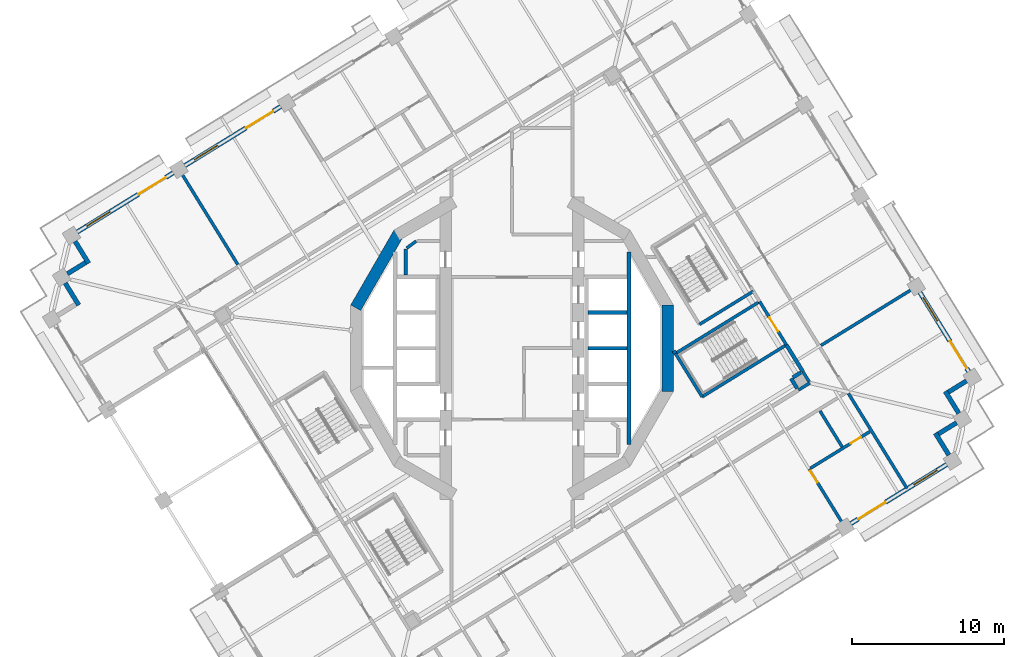
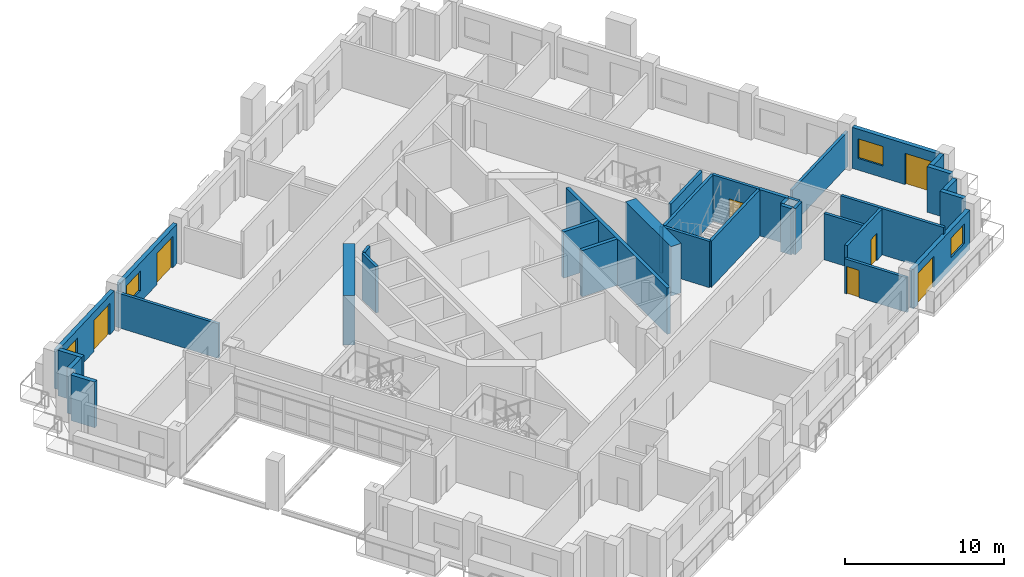
# One storey, part 8 of 20: 35 walls, 7 doors, 4 windows, 11 openings.
"""IFC4 building model written with IfcOpenShell, lengths in metres."""

from ifc_helpers import new_model, si_unit, direction, frame, frame_2d, origin, place, context, subcontext, project, spatial, rectangle, extrude, material, layer, layer_set, type_object, element, fill, save


model = new_model("IFC4")

# Units and contexts
model_context = context("Model", 3, precision=1e-05, world=origin(), true_north=direction((0.0, 1.0)))
body_context = subcontext(model_context, "Body", "Model", "MODEL_VIEW")
ifc_project = project(units=[si_unit("LENGTHUNIT", "METRE"), si_unit("AREAUNIT", "SQUARE_METRE"), si_unit("VOLUMEUNIT", "CUBIC_METRE"), si_unit("PLANEANGLEUNIT", "RADIAN"), si_unit("MASSUNIT", "GRAM", prefix="KILO")], contexts=[model_context])

# Site, building, storey
site_placement = place(None, origin())
site = spatial("IfcSite", under=ifc_project, at=site_placement, CompositionType="ELEMENT")
building_placement = place(site_placement, origin())
building = spatial("IfcBuilding", under=site, at=building_placement, Name="Cantera Rosa Tower", CompositionType="ELEMENT")
storey_placement = place(building_placement, frame((0.0, 0.0, 151.39990234375)))
storey = spatial("IfcBuildingStorey", under=building, at=storey_placement, Name="L32", CompositionType="ELEMENT", Elevation=151.39990234375)

# Walls
ifc_material_1 = material(Name="Gypsum board partition")
ifc_layer_1 = layer(ifc_material_1, 0.199951171875)
ifc_layer_set_1 = layer_set([ifc_layer_1], Name="CORRIDOR WALL 200 H3550")
wall_type_1 = type_object("IfcWallType", Name="CORRIDOR WALL 200 H3550", PredefinedType="PARTITIONING", material=ifc_layer_set_1)
wall_1_placement = place(storey_placement, frame((18.874267578125, -2.7509765625, 0.0), z_axis=(0.0, 0.0, 1.0), x_axis=(0.851162606387, 0.524902102766, 0.0)))
element("IfcWall", 1, at=wall_1_placement, inside=storey, type_object=wall_type_1, Name="CORRIDOR WALL L32-108", PredefinedType="PARTITIONING", context=body_context, shape_type="SweptSolid", body=[
    extrude(rectangle(XDim=0.8798828125, YDim=0.199951171875, at=frame_2d((0.43994140625, 0.0))), origin(), (0.0, 0.0, 1.0), 3.550048828125),
])
wall_2_placement = place(storey_placement, frame((19.57080078125, -2.203857421875, 0.0), z_axis=(0.0, 0.0, 1.0), x_axis=(-0.524952958213, 0.851131242326, 0.0)))
element("IfcWall", 2, at=wall_2_placement, inside=storey, type_object=wall_type_1, Name="CORRIDOR WALL L32-112", PredefinedType="PARTITIONING", context=body_context, shape_type="SweptSolid", body=[
    extrude(rectangle(XDim=0.780029296875, YDim=0.199951171875, at=frame_2d((0.39013671875, 0.0))), origin(), (0.0, 0.0, 1.0), 3.550048828125),
])
ifc_material_2 = material(Name="Hollow clay masonry with cantera stone cladding", Category="masonry")
ifc_layer_2 = layer(ifc_material_2, 0.300048828125)
ifc_layer_set_2 = layer_set([ifc_layer_2], Name="EW-LOGGIA 300")
wall_type_2 = type_object("IfcWallType", Name="EW-LOGGIA 300", PredefinedType="SOLIDWALL", material=ifc_layer_set_2)
wall_3_placement = place(storey_placement, frame((-28.7802734375, 7.0390625, 0.0), z_axis=(0.0, 0.0, 1.0), x_axis=(0.524994468487, -0.851105638601, 0.0)))
element("IfcWall", 3, at=wall_3_placement, inside=storey, type_object=wall_type_2, Name="EN-L32-W13a", PredefinedType="SOLIDWALL", context=body_context, shape_type="SweptSolid", body=[
    extrude(rectangle(XDim=1.7001953125, YDim=0.300048828125, at=frame_2d((0.85009765625, 0.0))), origin(), (0.0, 0.0, 1.0), 3.5),
])
wall_4_placement = place(storey_placement, frame((-28.09423828125, 5.64111328125, 0.0), z_axis=(0.0, 0.0, 1.0), x_axis=(-0.851040987269, -0.525099264891, 0.0)))
element("IfcWall", 4, at=wall_4_placement, inside=storey, type_object=wall_type_2, Name="EN-L32-W13b", PredefinedType="SOLIDWALL", context=body_context, shape_type="SweptSolid", body=[
    extrude(rectangle(XDim=1.39990234375, YDim=0.300048828125, at=frame_2d((0.699951171875, 0.0))), origin(), (0.0, 0.0, 1.0), 3.5),
])
for number, where, z_axis, x_axis, name in (
    (5, (-29.4326171875, 4.286865234375, 0.0), (0.0, 0.0, 1.0), (0.524994468487, -0.851105638601, 0.0), "EN-L32-W14a"),
    (6, (28.7802734375, -7.0390625, 0.0), (0.0, 0.0, 1.0), (-0.524994468487, 0.851105638601, 0.0), "EN-L32-W27a"),
):
    element("IfcWall", number, at=place(storey_placement, frame(where, z_axis=z_axis, x_axis=x_axis)), inside=storey, type_object=wall_type_2, Name=name, PredefinedType="SOLIDWALL", context=body_context, shape_type="SweptSolid", body=[
        extrude(rectangle(XDim=1.7001953125, YDim=0.300048828125, at=frame_2d((0.85009765625, 0.0))), origin(), (0.0, 0.0, 1.0), 3.5),
    ])
wall_5_placement = place(storey_placement, frame((28.09423828125, -5.64111328125, 0.0), z_axis=(0.0, 0.0, 1.0), x_axis=(0.851040987269, 0.525099264891, 0.0)))
element("IfcWall", 7, at=wall_5_placement, inside=storey, type_object=wall_type_2, Name="EN-L32-W27b", PredefinedType="SOLIDWALL", context=body_context, shape_type="SweptSolid", body=[
    extrude(rectangle(XDim=1.39990234375, YDim=0.300048828125, at=frame_2d((0.699951171875, 0.0))), origin(), (0.0, 0.0, 1.0), 3.5),
])
wall_6_placement = place(storey_placement, frame((29.4326171875, -4.286865234375, 0.0), z_axis=(0.0, 0.0, 1.0), x_axis=(-0.524994468487, 0.851105638601, 0.0)))
element("IfcWall", 8, at=wall_6_placement, inside=storey, type_object=wall_type_2, Name="EN-L32-W28a", PredefinedType="SOLIDWALL", context=body_context, shape_type="SweptSolid", body=[
    extrude(rectangle(XDim=1.7001953125, YDim=0.300048828125, at=frame_2d((0.85009765625, 0.0))), origin(), (0.0, 0.0, 1.0), 3.5),
])
wall_7_placement = place(storey_placement, frame((28.74658203125, -2.888916015625, 0.0), z_axis=(0.0, 0.0, 1.0), x_axis=(0.851040987269, 0.525099264891, 0.0)))
element("IfcWall", 9, at=wall_7_placement, inside=storey, type_object=wall_type_2, Name="EN-L32-W28b", PredefinedType="SOLIDWALL", context=body_context, shape_type="SweptSolid", body=[
    extrude(rectangle(XDim=1.39990234375, YDim=0.300048828125, at=frame_2d((0.699951171875, 0.0))), origin(), (0.0, 0.0, 1.0), 3.5),
])

# Wall, openings, window, door
ifc_material_3 = material(Name="Hollow clay masonry with cantera stone cladding", Category="masonry")
ifc_layer_3 = layer(ifc_material_3, 0.300048828125)
ifc_layer_set_3 = layer_set([ifc_layer_3], Name="EW-LOGGIA 300 H3020")
wall_type_3 = type_object("IfcWallType", Name="EW-LOGGIA 300 H3020", PredefinedType="SOLIDWALL", material=ifc_layer_set_3)
wall_8_placement = place(storey_placement, frame((-15.23681640625, 15.92138671875, 0.0), z_axis=(0.0, 0.0, 1.0), x_axis=(-0.85112578684, -0.524961803349, 0.0)))
wall_8 = element("IfcWall", 10, at=wall_8_placement, inside=storey, type_object=wall_type_3, Name="EN-L32-W11", PredefinedType="SOLIDWALL", context=body_context, shape_type="SweptSolid", body=[
    extrude(rectangle(XDim=7.420166015625, YDim=0.300048828125, at=frame_2d((3.7099609375, 0.0))), origin(), (0.0, 0.0, 1.0), 3.02001953125),
])
opening_1_placement = place(wall_8_placement, frame((0.580078125, 0.0, 0.0)))
opening_1 = element("IfcOpeningElement", 11, at=opening_1_placement, cuts=wall_8, Name="Opening L32-TD17", PredefinedType="OPENING", context=body_context, shape_type="SweptSolid", body=[
    extrude(rectangle(XDim=2.10009765625, YDim=2.39990234375, at=frame_2d((1.050048828125, 1.199951171875))), frame((0.0, 0.159912109375, 0.0), z_axis=(0.0, -1.0, 0.0), x_axis=(1.0, 0.0, 0.0)), (0.0, 0.0, 1.0), 0.320068359375),
])
opening_2_placement = place(wall_8_placement, frame((4.889892578125, 0.0, 0.89990234375)))
opening_2 = element("IfcOpeningElement", 12, at=opening_2_placement, cuts=wall_8, Name="Opening L32-W18", PredefinedType="OPENING", context=body_context, shape_type="SweptSolid", body=[
    extrude(rectangle(XDim=1.800048828125, YDim=1.5, at=frame_2d((0.89990234375, 0.75))), frame((0.0, 0.159912109375, 0.0), z_axis=(0.0, -1.0, 0.0), x_axis=(1.0, 0.0, 0.0)), (0.0, 0.0, 1.0), 0.320068359375),
])
ifc_material_4 = material(Name="Aluminium frame with clear glass", Category="aluminium")
window_type = type_object("IfcWindowType", Name="Hotel room window 1800x1500", PartitioningType="DOUBLE_PANEL_VERTICAL", PredefinedType="WINDOW", material=ifc_material_4)
window_1_placement = place(opening_2_placement, origin())
window_1 = element("IfcWindow", 13, at=window_1_placement, inside=storey, type_object=window_type, Name="WINDOW L32-W18", OverallHeight=1.5, OverallWidth=1.800048828125, PartitioningType="SINGLE_PANEL", PredefinedType="WINDOW", context=body_context, shape_type="SweptSolid", body=[
    extrude(rectangle(XDim=1.800048828125, YDim=1.5, at=frame_2d((0.89990234375, 0.75))), frame((0.0, 0.030029296875, 0.0), z_axis=(0.0, -1.0, 0.0), x_axis=(1.0, 0.0, 0.0)), (0.0, 0.0, 1.0), 0.06005859375),
])
fill(opening_2, window_1)
ifc_material_5 = material(Name="Aluminium frame with clear glass", Category="aluminium")
door_type_1 = type_object("IfcDoorType", Name="TD-H 2100x2400", OperationType="NOTDEFINED", PredefinedType="DOOR", material=ifc_material_5)
door_1_placement = place(opening_1_placement, origin())
door_1 = element("IfcDoor", 14, at=door_1_placement, inside=storey, type_object=door_type_1, Name="LOGGIA DOOR L32-TD17", OperationType="SLIDING_TO_LEFT", OverallHeight=2.39990234375, OverallWidth=2.10009765625, PredefinedType="DOOR", context=body_context, shape_type="SweptSolid", body=[
    extrude(rectangle(XDim=2.10009765625, YDim=2.39990234375, at=frame_2d((1.050048828125, 1.199951171875))), frame((0.0, 0.02490234375, 0.0), z_axis=(0.0, -1.0, 0.0), x_axis=(1.0, 0.0, 0.0)), (0.0, 0.0, 1.0), 0.050048828125),
])
fill(opening_1, door_1)

wall_9_placement = place(storey_placement, frame((-22.318115234375, 11.5537109375, 0.0), z_axis=(0.0, 0.0, 1.0), x_axis=(-0.851111085575, -0.524985637909, 0.0)))
wall_9 = element("IfcWall", 15, at=wall_9_placement, inside=storey, type_object=wall_type_3, Name="EN-L32-W12", PredefinedType="SOLIDWALL", context=body_context, shape_type="SweptSolid", body=[
    extrude(rectangle(XDim=7.420166015625, YDim=0.300048828125, at=frame_2d((3.7099609375, 0.0))), origin(), (0.0, 0.0, 1.0), 3.02001953125),
])
opening_3_placement = place(wall_9_placement, frame((0.580078125, 0.0, 0.0)))
opening_3 = element("IfcOpeningElement", 16, at=opening_3_placement, cuts=wall_9, Name="Opening L32-TD19", PredefinedType="OPENING", context=body_context, shape_type="SweptSolid", body=[
    extrude(rectangle(XDim=2.10009765625, YDim=2.39990234375, at=frame_2d((1.050048828125, 1.199951171875))), frame((0.0, 0.159912109375, 0.0), z_axis=(0.0, -1.0, 0.0), x_axis=(1.0, 0.0, 0.0)), (0.0, 0.0, 1.0), 0.320068359375),
])
opening_4_placement = place(wall_9_placement, frame((4.889892578125, 0.0, 0.89990234375)))
opening_4 = element("IfcOpeningElement", 17, at=opening_4_placement, cuts=wall_9, Name="Opening L32-W20", PredefinedType="OPENING", context=body_context, shape_type="SweptSolid", body=[
    extrude(rectangle(XDim=1.800048828125, YDim=1.5, at=frame_2d((0.89990234375, 0.75))), frame((0.0, 0.159912109375, 0.0), z_axis=(0.0, -1.0, 0.0), x_axis=(1.0, 0.0, 0.0)), (0.0, 0.0, 1.0), 0.320068359375),
])
window_2_placement = place(opening_4_placement, origin())
window_2 = element("IfcWindow", 18, at=window_2_placement, inside=storey, type_object=window_type, Name="WINDOW L32-W20", OverallHeight=1.5, OverallWidth=1.800048828125, PartitioningType="SINGLE_PANEL", PredefinedType="WINDOW", context=body_context, shape_type="SweptSolid", body=[
    extrude(rectangle(XDim=1.800048828125, YDim=1.5, at=frame_2d((0.89990234375, 0.75))), frame((0.0, 0.030029296875, 0.0), z_axis=(0.0, -1.0, 0.0), x_axis=(1.0, 0.0, 0.0)), (0.0, 0.0, 1.0), 0.06005859375),
])
fill(opening_4, window_2)
door_2_placement = place(opening_3_placement, origin())
door_2 = element("IfcDoor", 19, at=door_2_placement, inside=storey, type_object=door_type_1, Name="LOGGIA DOOR L32-TD19", OperationType="SLIDING_TO_LEFT", OverallHeight=2.39990234375, OverallWidth=2.10009765625, PredefinedType="DOOR", context=body_context, shape_type="SweptSolid", body=[
    extrude(rectangle(XDim=2.10009765625, YDim=2.39990234375, at=frame_2d((1.050048828125, 1.199951171875))), frame((0.0, 0.02490234375, 0.0), z_axis=(0.0, -1.0, 0.0), x_axis=(1.0, 0.0, 0.0)), (0.0, 0.0, 1.0), 0.050048828125),
])
fill(opening_3, door_2)

wall_10_placement = place(storey_placement, frame((22.318115234375, -11.5537109375, 0.0), z_axis=(0.0, 0.0, 1.0), x_axis=(0.851111085575, 0.524985637909, 0.0)))
wall_10 = element("IfcWall", 20, at=wall_10_placement, inside=storey, type_object=wall_type_3, Name="EN-L32-W26", PredefinedType="SOLIDWALL", context=body_context, shape_type="SweptSolid", body=[
    extrude(rectangle(XDim=7.420166015625, YDim=0.300048828125, at=frame_2d((3.7099609375, 0.0))), origin(), (0.0, 0.0, 1.0), 3.02001953125),
])
opening_5_placement = place(wall_10_placement, frame((0.580078125, 0.0, 0.0)))
opening_5 = element("IfcOpeningElement", 21, at=opening_5_placement, cuts=wall_10, Name="Opening L32-TD35", PredefinedType="OPENING", context=body_context, shape_type="SweptSolid", body=[
    extrude(rectangle(XDim=2.10009765625, YDim=2.39990234375, at=frame_2d((1.050048828125, 1.199951171875))), frame((0.0, 0.159912109375, 0.0), z_axis=(0.0, -1.0, 0.0), x_axis=(1.0, 0.0, 0.0)), (0.0, 0.0, 1.0), 0.320068359375),
])
opening_6_placement = place(wall_10_placement, frame((4.889892578125, 0.0, 0.89990234375)))
opening_6 = element("IfcOpeningElement", 22, at=opening_6_placement, cuts=wall_10, Name="Opening L32-W36", PredefinedType="OPENING", context=body_context, shape_type="SweptSolid", body=[
    extrude(rectangle(XDim=1.800048828125, YDim=1.5, at=frame_2d((0.89990234375, 0.75))), frame((0.0, 0.159912109375, 0.0), z_axis=(0.0, -1.0, 0.0), x_axis=(1.0, 0.0, 0.0)), (0.0, 0.0, 1.0), 0.320068359375),
])
window_3_placement = place(opening_6_placement, origin())
window_3 = element("IfcWindow", 23, at=window_3_placement, inside=storey, type_object=window_type, Name="WINDOW L32-W36", OverallHeight=1.5, OverallWidth=1.800048828125, PartitioningType="SINGLE_PANEL", PredefinedType="WINDOW", context=body_context, shape_type="SweptSolid", body=[
    extrude(rectangle(XDim=1.800048828125, YDim=1.5, at=frame_2d((0.89990234375, 0.75))), frame((0.0, 0.030029296875, 0.0), z_axis=(0.0, -1.0, 0.0), x_axis=(1.0, 0.0, 0.0)), (0.0, 0.0, 1.0), 0.06005859375),
])
fill(opening_6, window_3)
door_3_placement = place(opening_5_placement, origin())
door_3 = element("IfcDoor", 24, at=door_3_placement, inside=storey, type_object=door_type_1, Name="LOGGIA DOOR L32-TD35", OperationType="SLIDING_TO_LEFT", OverallHeight=2.39990234375, OverallWidth=2.10009765625, PredefinedType="DOOR", context=body_context, shape_type="SweptSolid", body=[
    extrude(rectangle(XDim=2.10009765625, YDim=2.39990234375, at=frame_2d((1.050048828125, 1.199951171875))), frame((0.0, 0.02490234375, 0.0), z_axis=(0.0, -1.0, 0.0), x_axis=(1.0, 0.0, 0.0)), (0.0, 0.0, 1.0), 0.050048828125),
])
fill(opening_5, door_3)

ifc_material_6 = material(Name="Hollow clay masonry with cantera stone cladding", Category="masonry")
ifc_layer_4 = layer(ifc_material_6, 0.300048828125)
ifc_layer_set_4 = layer_set([ifc_layer_4], Name="EW-LOGGIA 300 H3140")
wall_type_4 = type_object("IfcWallType", Name="EW-LOGGIA 300 H3140", PredefinedType="SOLIDWALL", material=ifc_layer_set_4)
wall_11_placement = place(storey_placement, frame((30.084716796875, -1.53466796875, 0.0), z_axis=(0.0, 0.0, 1.0), x_axis=(-0.524987447654, 0.851109969279, 0.0)))
wall_11 = element("IfcWall", 25, at=wall_11_placement, inside=storey, type_object=wall_type_4, Name="EN-L32-W01", PredefinedType="SOLIDWALL", context=body_context, shape_type="SweptSolid", body=[
    extrude(rectangle(XDim=6.119873046875, YDim=0.300048828125, at=frame_2d((3.06005859375, 0.0))), origin(), (0.0, 0.0, 1.0), 3.14013671875),
])
opening_7_placement = place(wall_11_placement, frame((0.2548828125, 0.0, 0.0)))
opening_7 = element("IfcOpeningElement", 26, at=opening_7_placement, cuts=wall_11, Name="Opening L32-TD01", PredefinedType="OPENING", context=body_context, shape_type="SweptSolid", body=[
    extrude(rectangle(XDim=2.10009765625, YDim=2.39990234375, at=frame_2d((1.050048828125, 1.199951171875))), frame((0.0, 0.159912109375, 0.0), z_axis=(0.0, -1.0, 0.0), x_axis=(1.0, 0.0, 0.0)), (0.0, 0.0, 1.0), 0.320068359375),
])
opening_8_placement = place(wall_11_placement, frame((3.9150390625, 0.0, 0.89990234375)))
opening_8 = element("IfcOpeningElement", 27, at=opening_8_placement, cuts=wall_11, Name="Opening L32-W02", PredefinedType="OPENING", context=body_context, shape_type="SweptSolid", body=[
    extrude(rectangle(XDim=1.800048828125, YDim=1.5, at=frame_2d((0.89990234375, 0.75))), frame((0.0, 0.159912109375, 0.0), z_axis=(0.0, -1.0, 0.0), x_axis=(1.0, 0.0, 0.0)), (0.0, 0.0, 1.0), 0.320068359375),
])
window_4_placement = place(opening_8_placement, origin())
window_4 = element("IfcWindow", 28, at=window_4_placement, inside=storey, type_object=window_type, Name="WINDOW L32-W02", OverallHeight=1.5, OverallWidth=1.800048828125, PartitioningType="SINGLE_PANEL", PredefinedType="WINDOW", context=body_context, shape_type="SweptSolid", body=[
    extrude(rectangle(XDim=1.800048828125, YDim=1.5, at=frame_2d((0.89990234375, 0.75))), frame((0.0, 0.030029296875, 0.0), z_axis=(0.0, -1.0, 0.0), x_axis=(1.0, 0.0, 0.0)), (0.0, 0.0, 1.0), 0.06005859375),
])
fill(opening_8, window_4)
door_4_placement = place(opening_7_placement, origin())
door_4 = element("IfcDoor", 29, at=door_4_placement, inside=storey, type_object=door_type_1, Name="LOGGIA DOOR L32-TD01", OperationType="SLIDING_TO_LEFT", OverallHeight=2.39990234375, OverallWidth=2.10009765625, PredefinedType="DOOR", context=body_context, shape_type="SweptSolid", body=[
    extrude(rectangle(XDim=2.10009765625, YDim=2.39990234375, at=frame_2d((1.050048828125, 1.199951171875))), frame((0.0, 0.02490234375, 0.0), z_axis=(0.0, -1.0, 0.0), x_axis=(1.0, 0.0, 0.0)), (0.0, 0.0, 1.0), 0.050048828125),
])
fill(opening_7, door_4)

# Wall, opening, door
ifc_material_7 = material(Name="Gypsum board partition")
ifc_layer_5 = layer(ifc_material_7, 0.199951171875)
ifc_layer_set_5 = layer_set([ifc_layer_5], Name="PARTITION 200 H2650")
wall_type_5 = type_object("IfcWallType", Name="PARTITION 200 H2650", PredefinedType="PARTITIONING", material=ifc_layer_set_5)
wall_12_placement = place(storey_placement, frame((21.91943359375, -11.764404296875, 0.0), z_axis=(0.0, 0.0, 1.0), x_axis=(-0.524962561963, 0.851125318938, 0.0)))
wall_12 = element("IfcWall", 30, at=wall_12_placement, inside=storey, type_object=wall_type_5, Name="PARTITION L32-114", PredefinedType="PARTITIONING", context=body_context, shape_type="SweptSolid", body=[
    extrude(rectangle(XDim=4.47021484375, YDim=0.199951171875, at=frame_2d((2.235107421875, 0.0))), origin(), (0.0, 0.0, 1.0), 2.650146484375),
])
opening_9_placement = place(wall_12_placement, frame((3.419921875, 0.0, 0.0)))
opening_9 = element("IfcOpeningElement", 31, at=opening_9_placement, cuts=wall_12, Name="Opening L32-035", PredefinedType="OPENING", context=body_context, shape_type="SweptSolid", body=[
    extrude(rectangle(XDim=0.89990234375, YDim=2.10009765625, at=frame_2d((0.449951171875, 1.050048828125))), frame((0.0, 0.10986328125, 0.0), z_axis=(0.0, -1.0, 0.0), x_axis=(1.0, 0.0, 0.0)), (0.0, 0.0, 1.0), 0.219970703125),
])
ifc_material_8 = material(Name="Timber door leaf", Category="wood")
door_type_2 = type_object("IfcDoorType", Name="ROOM DOOR 900x2100", OperationType="NOTDEFINED", PredefinedType="DOOR", material=ifc_material_8)
door_5_placement = place(opening_9_placement, origin())
door_5 = element("IfcDoor", 32, at=door_5_placement, inside=storey, type_object=door_type_2, Name="DOOR L32-035", OperationType="NOTDEFINED", OverallHeight=2.10009765625, OverallWidth=0.89990234375, PredefinedType="DOOR", context=body_context, shape_type="SweptSolid", body=[
    extrude(rectangle(XDim=0.89990234375, YDim=2.10009765625, at=frame_2d((0.449951171875, 1.050048828125))), frame((0.0, 0.02490234375, 0.0), z_axis=(0.0, -1.0, 0.0), x_axis=(1.0, 0.0, 0.0)), (0.0, 0.0, 1.0), 0.050048828125),
])
fill(opening_9, door_5)

# Walls
wall_13_placement = place(storey_placement, frame((26.610107421875, 4.04150390625, 0.0), z_axis=(0.0, 0.0, 1.0), x_axis=(-0.851109277096, -0.52498856982, 0.0)))
element("IfcWall", 33, at=wall_13_placement, inside=storey, type_object=wall_type_5, Name="PARTITION L32-117", PredefinedType="PARTITIONING", context=body_context, shape_type="SweptSolid", body=[
    extrude(rectangle(XDim=7.349853515625, YDim=0.199951171875, at=frame_2d((3.6748046875, 0.0))), origin(), (0.0, 0.0, 1.0), 2.650146484375),
])
ifc_material_9 = material(Name="Gypsum board partition")
ifc_layer_6 = layer(ifc_material_9, 0.199951171875)
ifc_layer_set_6 = layer_set([ifc_layer_6], Name="PARTITION 200 H3550")
wall_type_6 = type_object("IfcWallType", Name="PARTITION 200 H3550", PredefinedType="PARTITIONING", material=ifc_layer_set_6)
wall_14_placement = place(storey_placement, frame((-7.0, 4.824951171875, 0.0), z_axis=(0.0, 0.0, 1.0), x_axis=(0.0, 1.0, 0.0)))
element("IfcWall", 34, at=wall_14_placement, inside=storey, type_object=wall_type_6, Name="PARTITION L32-037", PredefinedType="PARTITIONING", context=body_context, shape_type="SweptSolid", body=[
    extrude(rectangle(XDim=1.72509765625, YDim=0.199951171875, at=frame_2d((0.862548828125, 0.0))), origin(), (0.0, 0.0, 1.0), 3.550048828125),
])
wall_15_placement = place(storey_placement, frame((-6.935302734375, 6.59716796875, 0.0), z_axis=(0.0, 0.0, 1.0), x_axis=(0.808227862651, 0.588869868506, 0.0)))
element("IfcWall", 35, at=wall_15_placement, inside=storey, type_object=wall_type_6, Name="PARTITION L32-038", PredefinedType="PARTITIONING", context=body_context, shape_type="SweptSolid", body=[
    extrude(rectangle(XDim=0.76904296875, YDim=0.199951171875, at=frame_2d((0.384521484375, 0.0))), origin(), (0.0, 0.0, 1.0), 3.550048828125),
])

# Wall, opening, door
wall_16_placement = place(storey_placement, frame((19.657958984375, -7.9072265625, 0.0), z_axis=(0.0, 0.0, 1.0), x_axis=(0.851120278927, 0.524970733279, 0.0)))
wall_16 = element("IfcWall", 36, at=wall_16_placement, inside=storey, type_object=wall_type_6, Name="PARTITION L32-111", PredefinedType="PARTITIONING", context=body_context, shape_type="SweptSolid", body=[
    extrude(rectangle(XDim=4.599853515625, YDim=0.199951171875, at=frame_2d((2.2998046875, 0.0))), origin(), (0.0, 0.0, 1.0), 3.550048828125),
])
opening_10_placement = place(wall_16_placement, frame((3.110107421875, 0.0, 0.0)))
opening_10 = element("IfcOpeningElement", 37, at=opening_10_placement, cuts=wall_16, Name="Opening L32-036", PredefinedType="OPENING", context=body_context, shape_type="SweptSolid", body=[
    extrude(rectangle(XDim=0.800048828125, YDim=2.10009765625, at=frame_2d((0.39990234375, 1.050048828125))), frame((0.0, 0.10986328125, 0.0), z_axis=(0.0, -1.0, 0.0), x_axis=(1.0, 0.0, 0.0)), (0.0, 0.0, 1.0), 0.219970703125),
])
ifc_material_10 = material(Name="Timber door leaf", Category="wood")
door_type_3 = type_object("IfcDoorType", Name="BATHROOM DOOR 800x2100", OperationType="NOTDEFINED", PredefinedType="DOOR", material=ifc_material_10)
door_6_placement = place(opening_10_placement, origin())
door_6 = element("IfcDoor", 38, at=door_6_placement, inside=storey, type_object=door_type_3, Name="DOOR L32-036", OperationType="NOTDEFINED", OverallHeight=2.10009765625, OverallWidth=0.800048828125, PredefinedType="DOOR", context=body_context, shape_type="SweptSolid", body=[
    extrude(rectangle(XDim=0.800048828125, YDim=2.10009765625, at=frame_2d((0.39990234375, 1.050048828125))), frame((0.0, 0.02490234375, 0.0), z_axis=(0.0, -1.0, 0.0), x_axis=(1.0, 0.0, 0.0)), (0.0, 0.0, 1.0), 0.050048828125),
])
fill(opening_10, door_6)

# Walls
wall_17_placement = place(storey_placement, frame((21.750244140625, -6.499267578125, 0.0), z_axis=(0.0, 0.0, 1.0), x_axis=(-0.525008529336, 0.851096965172, 0.0)))
element("IfcWall", 39, at=wall_17_placement, inside=storey, type_object=wall_type_6, Name="PARTITION L32-113", PredefinedType="PARTITIONING", context=body_context, shape_type="SweptSolid", body=[
    extrude(rectangle(XDim=2.77978515625, YDim=0.199951171875, at=frame_2d((1.389892578125, 0.0))), origin(), (0.0, 0.0, 1.0), 3.550048828125),
])
ifc_material_11 = material(Name="Gypsum board partition")
ifc_layer_7 = layer(ifc_material_11, 0.199951171875)
ifc_layer_set_7 = layer_set([ifc_layer_7], Name="PARTY WALL 200 H2650")
wall_type_7 = type_object("IfcWallType", Name="PARTY WALL 200 H2650", PredefinedType="PARTITIONING", material=ifc_layer_set_7)
wall_18_placement = place(storey_placement, frame((-18.060791015625, 5.508544921875, 0.0), z_axis=(0.0, 0.0, 1.0), x_axis=(-0.524973728225, 0.851118431638, 0.0)))
element("IfcWall", 40, at=wall_18_placement, inside=storey, type_object=wall_type_7, Name="PARTY WALL L32-013", PredefinedType="PARTITIONING", context=body_context, shape_type="SweptSolid", body=[
    extrude(rectangle(XDim=7.35009765625, YDim=0.199951171875, at=frame_2d((3.675048828125, 0.0))), origin(), (0.0, 0.0, 1.0), 2.650146484375),
])
ifc_material_12 = material(Name="Gypsum board partition")
ifc_layer_8 = layer(ifc_material_12, 0.199951171875)
ifc_layer_set_8 = layer_set([ifc_layer_8], Name="PARTY WALL 200 H3550")
wall_type_8 = type_object("IfcWallType", Name="PARTY WALL 200 H3550", PredefinedType="PARTITIONING", material=ifc_layer_set_8)
wall_19_placement = place(storey_placement, frame((26.021728515625, -9.23388671875, 0.0), z_axis=(0.0, 0.0, 1.0), x_axis=(-0.52498856982, 0.851109277096, 0.0)))
element("IfcWall", 41, at=wall_19_placement, inside=storey, type_object=wall_type_8, Name="PARTY WALL L32-116", PredefinedType="PARTITIONING", context=body_context, shape_type="SweptSolid", body=[
    extrude(rectangle(XDim=7.349853515625, YDim=0.199951171875, at=frame_2d((3.6748046875, 0.0))), origin(), (0.0, 0.0, 1.0), 3.550048828125),
])
ifc_material_13 = material(Name="Concrete C60/75", Category="concrete")
ifc_layer_9 = layer(ifc_material_13, 0.75)
ifc_layer_set_9 = layer_set([ifc_layer_9], Name="RC CORE WALL 750 C60/75")
wall_type_9 = type_object("IfcWallType", Name="RC CORE WALL 750 C60/75", PredefinedType="SHEAR", material=ifc_layer_set_9)
wall_20_placement = place(storey_placement, frame((-10.300537109375, 2.659423828125, 0.0), z_axis=(0.0, 0.0, 1.0), x_axis=(0.500021842983, 0.866012792365, 0.0)))
element("IfcWall", 42, at=wall_20_placement, inside=storey, type_object=wall_type_9, Name="CW-W4 L32", PredefinedType="SHEAR", context=body_context, shape_type="SweptSolid", body=[
    extrude(rectangle(XDim=5.694091796875, YDim=0.75, at=frame_2d((2.84716796875, 0.0))), origin(), (0.0, 0.0, 1.0), 3.800048828125),
])
wall_21_placement = place(storey_placement, frame((10.250244140625, 2.846923828125, 0.0), z_axis=(0.0, 0.0, 1.0), x_axis=(0.0, -1.0, 0.0)))
element("IfcWall", 43, at=wall_21_placement, inside=storey, type_object=wall_type_9, Name="CW-E3 L32", PredefinedType="SHEAR", context=body_context, shape_type="SweptSolid", body=[
    extrude(rectangle(XDim=5.69384765625, YDim=0.75, at=frame_2d((2.846923828125, 0.0))), origin(), (0.0, 0.0, 1.0), 3.800048828125),
])
ifc_material_14 = material(Name="Masonry blockwork", Category="masonry")
ifc_layer_10 = layer(ifc_material_14, 0.25)
ifc_layer_set_10 = layer_set([ifc_layer_10], Name="SHAFT WALL 250 H3550")
wall_type_10 = type_object("IfcWallType", Name="SHAFT WALL 250 H3550", PredefinedType="SOLIDWALL", material=ifc_layer_set_10)
for number, where, z_axis, x_axis, name in (
    (44, (5.014892578125, 0.0, 0.0), (0.0, 0.0, 1.0), (1.0, 0.0, 0.0), "SHAFT WALL L32-071"),
    (45, (5.014892578125, 2.35009765625, 0.0), (0.0, 0.0, 1.0), (1.0, 0.0, 0.0), "SHAFT WALL L32-072"),
):
    element("IfcWall", number, at=place(storey_placement, frame(where, z_axis=z_axis, x_axis=x_axis)), inside=storey, type_object=wall_type_10, Name=name, PredefinedType="SOLIDWALL", context=body_context, shape_type="SweptSolid", body=[
        extrude(rectangle(XDim=2.56005859375, YDim=0.25, at=frame_2d((1.280029296875, 0.0))), origin(), (0.0, 0.0, 1.0), 3.550048828125),
    ])
wall_22_placement = place(storey_placement, frame((7.699951171875, -6.353515625, 0.0), z_axis=(0.0, 0.0, 1.0), x_axis=(0.0, 1.0, 0.0)))
element("IfcWall", 46, at=wall_22_placement, inside=storey, type_object=wall_type_10, Name="SHAFT WALL L32-086", PredefinedType="SOLIDWALL", context=body_context, shape_type="SweptSolid", body=[
    extrude(rectangle(XDim=12.70703125, YDim=0.25, at=frame_2d((6.353515625, 0.0))), origin(), (0.0, 0.0, 1.0), 3.550048828125),
])
wall_23_placement = place(storey_placement, frame((10.6552734375, -0.16748046875, 0.0), z_axis=(0.0, 0.0, 1.0), x_axis=(0.524543682015, -0.851383536168, 0.0)))
element("IfcWall", 47, at=wall_23_placement, inside=storey, type_object=wall_type_10, Name="SHAFT WALL L32-094", PredefinedType="SOLIDWALL", context=body_context, shape_type="SweptSolid", body=[
    extrude(rectangle(XDim=0.213623046875, YDim=0.25, at=frame_2d((0.10693359375, 0.0))), origin(), (0.0, 0.0, 1.0), 3.550048828125),
])
wall_24_placement = place(storey_placement, frame((18.384765625, -1.99560546875, 0.0), z_axis=(0.0, 0.0, 1.0), x_axis=(0.52499344753, -0.851106268365, 0.0)))
element("IfcWall", 48, at=wall_24_placement, inside=storey, type_object=wall_type_10, Name="SHAFT WALL L32-107", PredefinedType="SOLIDWALL", context=body_context, shape_type="SweptSolid", body=[
    extrude(rectangle(XDim=0.759765625, YDim=0.25, at=frame_2d((0.3798828125, 0.0))), origin(), (0.0, 0.0, 1.0), 3.550048828125),
])
wall_25_placement = place(storey_placement, frame((19.15087890625, -1.52294921875, 0.0), z_axis=(0.0, 0.0, 1.0), x_axis=(-0.525087139425, 0.851048468661, 0.0)))
element("IfcWall", 49, at=wall_25_placement, inside=storey, type_object=wall_type_10, Name="SHAFT WALL L32-109", PredefinedType="SOLIDWALL", context=body_context, shape_type="SweptSolid", body=[
    extrude(rectangle(XDim=2.050048828125, YDim=0.25, at=frame_2d((1.02490234375, 0.0))), origin(), (0.0, 0.0, 1.0), 3.550048828125),
])
wall_26_placement = place(storey_placement, frame((19.031494140625, -1.596435546875, 0.0), z_axis=(0.0, 0.0, 1.0), x_axis=(-0.85092741859, -0.52528328385, 0.0)))
element("IfcWall", 50, at=wall_26_placement, inside=storey, type_object=wall_type_10, Name="SHAFT WALL L32-110", PredefinedType="SOLIDWALL", context=body_context, shape_type="SweptSolid", body=[
    extrude(rectangle(XDim=0.6201171875, YDim=0.25, at=frame_2d((0.31005859375, 0.0))), origin(), (0.0, 0.0, 1.0), 3.550048828125),
])
ifc_material_15 = material(Name="Concrete C50/60", Category="concrete")
ifc_layer_11 = layer(ifc_material_15, 0.199951171875)
ifc_layer_set_11 = layer_set([ifc_layer_11], Name="STAIR WALL 200 H3550")
wall_type_11 = type_object("IfcWallType", Name="STAIR WALL 200 H3550", PredefinedType="SOLIDWALL", material=ifc_layer_set_11)
wall_27_placement = place(storey_placement, frame((10.767333984375, -0.349365234375, 0.0), z_axis=(0.0, 0.0, 1.0), x_axis=(0.524938861495, -0.85113993661, 0.0)))
element("IfcWall", 51, at=wall_27_placement, inside=storey, type_object=wall_type_11, Name="STAIR WALL L32-095", PredefinedType="SOLIDWALL", context=body_context, shape_type="SweptSolid", body=[
    extrude(rectangle(XDim=3.35009765625, YDim=0.199951171875, at=frame_2d((1.675048828125, 0.0))), origin(), (0.0, 0.0, 1.0), 3.550048828125),
])
for number, where, z_axis, x_axis, name in (
    (52, (10.767333984375, -0.349365234375, 0.0), (0.0, 0.0, 1.0), (0.851120392665, 0.524970548879, 0.0), "STAIR WALL L32-096"),
    (53, (12.52587890625, -3.20068359375, 0.0), (0.0, 0.0, 1.0), (0.851120392665, 0.524970548879, 0.0), "STAIR WALL L32-098"),
):
    element("IfcWall", number, at=place(storey_placement, frame(where, z_axis=z_axis, x_axis=x_axis)), inside=storey, type_object=wall_type_11, Name=name, PredefinedType="SOLIDWALL", context=body_context, shape_type="SweptSolid", body=[
        extrude(rectangle(XDim=6.51904296875, YDim=0.199951171875, at=frame_2d((3.259521484375, 0.0))), origin(), (0.0, 0.0, 1.0), 3.550048828125),
    ])
wall_28_placement = place(storey_placement, frame((15.8955078125, 3.754638671875, 0.0), z_axis=(0.0, 0.0, 1.0), x_axis=(-0.851120688733, -0.524970068871, 0.0)))
element("IfcWall", 54, at=wall_28_placement, inside=storey, type_object=wall_type_11, Name="STAIR WALL L32-103", PredefinedType="SOLIDWALL", context=body_context, shape_type="SweptSolid", body=[
    extrude(rectangle(XDim=4.16650390625, YDim=0.199951171875, at=frame_2d((2.083251953125, 0.0))), origin(), (0.0, 0.0, 1.0), 3.550048828125),
])

# Wall, opening, door
wall_29_placement = place(storey_placement, frame((18.074462890625, 0.2216796875, 0.0), z_axis=(0.0, 0.0, 1.0), x_axis=(-0.524938861495, 0.85113993661, 0.0)))
wall_29 = element("IfcWall", 55, at=wall_29_placement, inside=storey, type_object=wall_type_11, Name="STAIR WALL L32-106", PredefinedType="SOLIDWALL", context=body_context, shape_type="SweptSolid", body=[
    extrude(rectangle(XDim=3.35009765625, YDim=0.199951171875, at=frame_2d((1.675048828125, 0.0))), origin(), (0.0, 0.0, 1.0), 3.550048828125),
])
opening_11_placement = place(wall_29_placement, frame((1.02978515625, 0.0, 0.0)))
opening_11 = element("IfcOpeningElement", 56, at=opening_11_placement, cuts=wall_29, Name="Opening L32-004", PredefinedType="OPENING", context=body_context, shape_type="SweptSolid", body=[
    extrude(rectangle(XDim=1.10009765625, YDim=2.10009765625, at=frame_2d((0.550048828125, 1.050048828125))), frame((0.0, 0.10986328125, 0.0), z_axis=(0.0, -1.0, 0.0), x_axis=(1.0, 0.0, 0.0)), (0.0, 0.0, 1.0), 0.219970703125),
])
ifc_material_16 = material(Name="Steel S355J2 (EN 10025-2)", Category="steel")
door_type_4 = type_object("IfcDoorType", Name="STAIR DOOR 1100x2100", OperationType="NOTDEFINED", PredefinedType="DOOR", material=ifc_material_16)
door_7_placement = place(opening_11_placement, origin())
door_7 = element("IfcDoor", 57, at=door_7_placement, inside=storey, type_object=door_type_4, Name="DOOR L32-004", OperationType="NOTDEFINED", OverallHeight=2.10009765625, OverallWidth=1.10009765625, PredefinedType="DOOR", context=body_context, shape_type="SweptSolid", body=[
    extrude(rectangle(XDim=1.10009765625, YDim=2.10009765625, at=frame_2d((0.550048828125, 1.050048828125))), frame((0.0, 0.02490234375, 0.0), z_axis=(0.0, -1.0, 0.0), x_axis=(1.0, 0.0, 0.0)), (0.0, 0.0, 1.0), 0.050048828125),
])
fill(opening_11, door_7)

save(model, "model.ifc")
